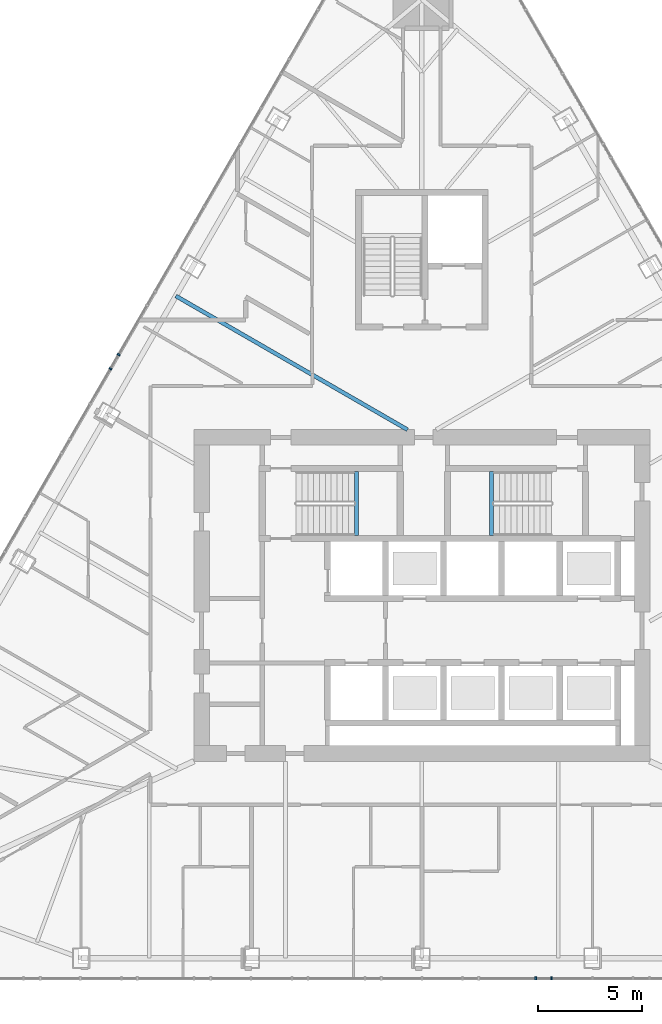
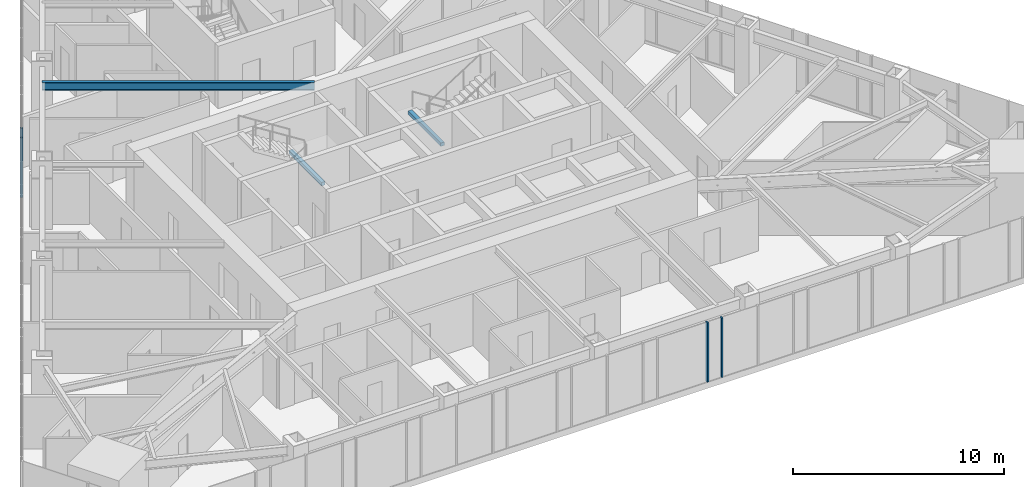
# One storey, part 6 of 24: 4 members, 3 beams, 2 elements without a shape of their own.
"""IFC4 building model written with IfcOpenShell, lengths in metres."""

import ifcopenshell
import ifcopenshell.guid

model = None  # the IFC model being written
_history = None  # IfcOwnerHistory: only IFC2X3 demands one
_inside = {}  # id of a spatial element -> (the spatial element, [elements in it])
_under = {}  # id of a project, library or spatial element -> (it, [spatial elements below it])
_declared = {}  # id of a project -> (the project, [libraries it declares])
_typed = {}  # id of a type object -> (the type object, [elements of that type])
_made_of = {}  # id of a material, layer set ... -> (it, [elements and type objects made of it])


def new_model(schema):
    """Start an empty IFC model of exactly this schema.

    Asked for "IFC4X3", IfcOpenShell would pick the latest addendum, in which some entities
    have other attributes; the version numbers below select the first issue.
    IFC2X3 requires an IfcOwnerHistory on every rooted entity: one is made here for all.
    """
    global model, _history
    if schema == "IFC4X3":
        model = ifcopenshell.file(schema_version=(4, 3, 0, 0))
    else:
        model = ifcopenshell.file(schema=schema)
    _inside.clear()
    _under.clear()
    _declared.clear()
    _typed.clear()
    _made_of.clear()
    _history = None
    if model.schema == "IFC2X3":
        org = make("IfcOrganization", Name="unknown")
        user = make(
            "IfcPersonAndOrganization",
            ThePerson=make("IfcPerson", FamilyName="unknown"),
            TheOrganization=org,
        )
        app = make(
            "IfcApplication",
            ApplicationDeveloper=org,
            Version="unknown",
            ApplicationFullName="unknown",
            ApplicationIdentifier="unknown",
        )
        _history = make(
            "IfcOwnerHistory",
            OwningUser=user,
            OwningApplication=app,
            ChangeAction="ADDED",
            CreationDate=0,
        )
    return model


def make(cls, **values):
    """One entity of the class cls with the attributes given. An attribute that is None is left unset."""
    return model.create_entity(
        cls, **{name: value for name, value in values.items() if value is not None}
    )


def rooted(cls, **values):
    """An entity with a GlobalId (a new one), such as an element, a storey or a relation."""
    return make(cls, GlobalId=ifcopenshell.guid.new(), OwnerHistory=_history, **values)


def si_unit(unit_type, name, prefix=None):
    """IfcSIUnit, for example si_unit("LENGTHUNIT", "METRE", prefix="MILLI")."""
    return make("IfcSIUnit", UnitType=unit_type, Prefix=prefix, Name=name)


def assignment(units):
    """IfcUnitAssignment: the units of a project."""
    return None if units is None else make("IfcUnitAssignment", Units=units)


def point(xyz):
    """IfcCartesianPoint."""
    return None if xyz is None else make("IfcCartesianPoint", Coordinates=xyz)


def direction(xyz):
    """IfcDirection."""
    return None if xyz is None else make("IfcDirection", DirectionRatios=xyz)


def frame(location, z_axis=None, x_axis=None):
    """IfcAxis2Placement3D, a coordinate frame: its origin and axes. An axis left out is left unset."""
    return make(
        "IfcAxis2Placement3D",
        Location=point(location),
        Axis=direction(z_axis),
        RefDirection=direction(x_axis),
    )


def frame_2d(location, x_axis=None):
    """IfcAxis2Placement2D, a coordinate frame in the plane: its origin and x axis."""
    return make(
        "IfcAxis2Placement2D", Location=point(location), RefDirection=direction(x_axis)
    )


def origin():
    """The frame at (0, 0, 0) with its axes left unset."""
    return frame((0.0, 0.0, 0.0))


def origin_2d():
    """The frame at (0, 0) in the plane with its x axis left unset."""
    return frame_2d((0.0, 0.0))


def place(relative_to, where):
    """IfcLocalPlacement: puts the frame where relative to a parent placement (None: the world)."""
    return make(
        "IfcLocalPlacement", PlacementRelTo=relative_to, RelativePlacement=where
    )


def context(
    kind, dimensions, precision=None, world=None, true_north=None, identifier=None
):
    """IfcGeometricRepresentationContext, for example the 3D "Model" context."""
    return make(
        "IfcGeometricRepresentationContext",
        ContextIdentifier=identifier,
        ContextType=kind,
        CoordinateSpaceDimension=dimensions,
        Precision=precision,
        WorldCoordinateSystem=world,
        TrueNorth=true_north,
    )


def subcontext(parent, identifier, kind, view, scale=None):
    """IfcGeometricRepresentationSubContext, for example "Body" below "Model"."""
    return make(
        "IfcGeometricRepresentationSubContext",
        ContextIdentifier=identifier,
        ContextType=kind,
        ParentContext=parent,
        TargetScale=scale,
        TargetView=view,
    )


def project(units=None, contexts=None):
    """IfcProject with its units and contexts."""
    return rooted(
        "IfcProject",
        Name="project",
        RepresentationContexts=contexts,
        UnitsInContext=assignment(units),
    )


def spatial(cls, under=None, at=None, **own):
    """A site, building, storey or space (cls), placed at a placement, below another one or the project."""
    s = rooted(cls, ObjectPlacement=at, **own)
    if under is not None:
        _under.setdefault(under.id(), (under, []))[1].append(s)
    return s


def profile(cls, at=None, kind="AREA", **sizes):
    """A parametric profile (cls). Its sizes go by their IFC names, for example OverallWidth=200.0."""
    return make(cls, ProfileType=kind, Position=at, **sizes)


def rectangle(**sizes):
    """IfcRectangleProfileDef."""
    return profile("IfcRectangleProfileDef", **sizes)


def i_section(**sizes):
    """IfcIShapeProfileDef."""
    return profile("IfcIShapeProfileDef", **sizes)


def extrude(swept, where, along, depth):
    """IfcExtrudedAreaSolid: the profile swept, set in the frame where, extruded along a direction by depth."""
    return make(
        "IfcExtrudedAreaSolid",
        SweptArea=swept,
        Position=where,
        ExtrudedDirection=direction(along),
        Depth=depth,
    )


def shape(context_of_items, identifier, shape_type, items):
    """IfcShapeRepresentation: the items that make up one representation, for example the "Body"."""
    return make(
        "IfcShapeRepresentation",
        ContextOfItems=context_of_items,
        RepresentationIdentifier=identifier,
        RepresentationType=shape_type,
        Items=items,
    )


def material(Name=None, Category=None):
    """IfcMaterial."""
    return make("IfcMaterial", Name=Name, Category=Category)


def layer(
    of_material, thickness, ventilated=None, Name=None, Category=None, Priority=None
):
    """IfcMaterialLayer: one layer of a wall or slab, of a material (None: an air gap)."""
    return make(
        "IfcMaterialLayer",
        Material=of_material,
        LayerThickness=thickness,
        IsVentilated=ventilated,
        Name=Name,
        Category=Category,
        Priority=Priority,
    )


def layer_set(layers, Name=None):
    """IfcMaterialLayerSet."""
    return make("IfcMaterialLayerSet", MaterialLayers=layers, LayerSetName=Name)


def material_profile(
    of_material, cross_section, Name=None, Category=None, Priority=None
):
    """IfcMaterialProfile: a cross section and its material."""
    return make(
        "IfcMaterialProfile",
        Name=Name,
        Material=of_material,
        Profile=cross_section,
        Priority=Priority,
        Category=Category,
    )


def profile_set(profiles, Name=None, composite=None):
    """IfcMaterialProfileSet."""
    return make(
        "IfcMaterialProfileSet",
        Name=Name,
        MaterialProfiles=profiles,
        CompositeProfile=composite,
    )


def made_of(thing, what):
    """Note that an element or type object is made of a material, layer set ...; save() writes the relation."""
    if what is not None:
        _made_of.setdefault(what.id(), (what, []))[1].append(thing)
    return thing


def type_object(cls, material=None, **own):
    """A type object (cls), such as IfcWallType, which elements share."""
    return made_of(rooted(cls, **own), material)


def element(
    cls,
    number,
    at=None,
    inside=None,
    cuts=None,
    type_object=None,
    material=None,
    context=None,
    identifier="Body",
    shape_type=None,
    held_by="IfcProductDefinitionShape",
    body=None,
    shapes=None,
    **own,
):
    """One element of the class cls, such as IfcWall. Its Tag is "e" and its number.

    at: its placement. inside: the storey or other place that contains it. cuts: it is an
    opening in that element (IfcRelVoidsElement). A single representation is given by context,
    identifier, shape_type and body (its items); several are given by shapes. held_by: the class
    of the entity that holds the representations. save() writes the other relations.
    """
    e = rooted(cls, Tag="e%d" % number, ObjectPlacement=at, **own)
    if body is not None:
        shapes = [shape(context, identifier, shape_type, body)]
    if shapes is not None:
        e.Representation = make(held_by, Representations=shapes)
    if inside is not None:
        _inside.setdefault(inside.id(), (inside, []))[1].append(e)
    if cuts is not None:
        rooted(
            "IfcRelVoidsElement", RelatingBuildingElement=cuts, RelatedOpeningElement=e
        )
    if type_object is not None:
        _typed.setdefault(type_object.id(), (type_object, []))[1].append(e)
    return made_of(e, material)


def aggregate(whole, parts):
    """IfcRelAggregates: a whole, such as a stair, and the parts it consists of."""
    return rooted("IfcRelAggregates", RelatingObject=whole, RelatedObjects=parts)


def save(model, path):
    """Write the relations noted so far, then the file.

    IfcRelAggregates (storeys below a building ...), IfcRelContainedInSpatialStructure (elements
    in a storey), IfcRelDefinesByType, IfcRelAssociatesMaterial and IfcRelDeclares: one each for
    every whole, place, type object, material and project.
    """
    for whole, parts in _under.values():
        aggregate(whole, parts)
    for where, things in _inside.values():
        rooted(
            "IfcRelContainedInSpatialStructure",
            RelatedElements=things,
            RelatingStructure=where,
        )
    for kind, things in _typed.values():
        rooted("IfcRelDefinesByType", RelatedObjects=things, RelatingType=kind)
    for what, things in _made_of.values():
        rooted("IfcRelAssociatesMaterial", RelatedObjects=things, RelatingMaterial=what)
    for by, libraries in _declared.values():
        rooted("IfcRelDeclares", RelatingContext=by, RelatedDefinitions=libraries)
    model.write(path)


model = new_model("IFC4")

# Units and contexts
model_context = context("Model", 3, precision=1e-05, world=origin(), true_north=direction((0.0, 1.0)))
body_context = subcontext(model_context, "Body", "Model", "MODEL_VIEW")
ifc_project = project(units=[si_unit("LENGTHUNIT", "METRE"), si_unit("AREAUNIT", "SQUARE_METRE"), si_unit("VOLUMEUNIT", "CUBIC_METRE"), si_unit("PLANEANGLEUNIT", "RADIAN"), si_unit("MASSUNIT", "GRAM", prefix="KILO")], contexts=[model_context])

# Site, building, storey
site_placement = place(None, origin())
site = spatial("IfcSite", under=ifc_project, at=site_placement, CompositionType="ELEMENT")
building_placement = place(site_placement, origin())
building = spatial("IfcBuilding", under=site, at=building_placement, Name="Firuza Gate Tower and Library", CompositionType="ELEMENT")
storey_placement = place(building_placement, frame((0.0, 0.0, 237.699951171875)))
storey = spatial("IfcBuildingStorey", under=building, at=storey_placement, Name="L56", CompositionType="ELEMENT", Elevation=237.699951171875)

# Curtain wall, members
ifc_material_1 = material(Name="Aluminium 6063-T6", Category="aluminium")
ifc_layer = layer(ifc_material_1, 0.14990234375)
ifc_layer_set = layer_set([ifc_layer], Name="Unitised curtain wall, hotel")
curtain_wall_type = type_object("IfcCurtainWallType", Name="Unitised curtain wall, hotel", PredefinedType="NOTDEFINED", material=ifc_layer_set)
placement = place(storey_placement, origin())
curtain_wall_1 = element("IfcCurtainWall", 1, at=placement, inside=storey, type_object=curtain_wall_type, Name="CW2 L56 S face", PredefinedType="NOTDEFINED")
ifc_material_2 = material(Name="Aluminium 6063-T6", Category="aluminium")
ifc_material_profile_1 = material_profile(ifc_material_2, rectangle(XDim=0.14990234375, YDim=0.080078125, at=origin_2d()))
ifc_profile_set_1 = profile_set([ifc_material_profile_1], Name="Aluminium 6063-T6")
member_type = type_object("IfcMemberType", Name="Curtain wall mullion 80x150", PredefinedType="MULLION", material=ifc_profile_set_1)
member_1_placement = place(storey_placement, frame((80.493408203125, 56.52099609375, 0.150146484375), z_axis=(0.0, 0.0, 1.0), x_axis=(0.0, 1.0, 0.0)))
member_1 = element("IfcMember", 2, at=member_1_placement, type_object=member_type, Name="Mullion", PredefinedType="MULLION", context=body_context, shape_type="SweptSolid", body=[
    extrude(rectangle(XDim=0.14990234375, YDim=0.080078125, at=origin_2d()), origin(), (0.0, 0.0, 1.0), 3.449951171875),
])
member_2_placement = place(storey_placement, frame((81.263916015625, 56.52099609375, 0.150146484375), z_axis=(0.0, 0.0, 1.0), x_axis=(0.0, 1.0, 0.0)))
member_2 = element("IfcMember", 3, at=member_2_placement, type_object=member_type, Name="Mullion", PredefinedType="MULLION", context=body_context, shape_type="SweptSolid", body=[
    extrude(rectangle(XDim=0.14990234375, YDim=0.080078125, at=origin_2d()), origin(), (0.0, 0.0, 1.0), 3.449951171875),
])
aggregate(curtain_wall_1, [member_1, member_2])

curtain_wall_2 = element("IfcCurtainWall", 4, at=placement, inside=storey, type_object=curtain_wall_type, Name="CW2 L56 W face", PredefinedType="NOTDEFINED")
member_3_placement = place(storey_placement, frame((60.3701171875, 86.6181640625, 0.150146484375), z_axis=(0.0, 0.0, 1.0), x_axis=(0.866025403784, -0.5, 0.0)))
member_3 = element("IfcMember", 5, at=member_3_placement, type_object=member_type, Name="Mullion", PredefinedType="MULLION", context=body_context, shape_type="SweptSolid", body=[
    extrude(rectangle(XDim=0.14990234375, YDim=0.080078125, at=origin_2d()), origin(), (0.0, 0.0, 1.0), 3.449951171875),
])
member_4_placement = place(storey_placement, frame((59.9775390625, 85.938232421875, 0.150146484375), z_axis=(0.0, 0.0, 1.0), x_axis=(0.866025403784, -0.5, 0.0)))
member_4 = element("IfcMember", 6, at=member_4_placement, type_object=member_type, Name="Mullion", PredefinedType="MULLION", context=body_context, shape_type="SweptSolid", body=[
    extrude(rectangle(XDim=0.14990234375, YDim=0.080078125, at=origin_2d()), origin(), (0.0, 0.0, 1.0), 3.449951171875),
])
aggregate(curtain_wall_2, [member_3, member_4])

# Beams
ifc_material_3 = material(Name="Concrete C35/45", Category="concrete")
ifc_material_profile_2 = material_profile(ifc_material_3, rectangle(XDim=0.199951171875, YDim=0.199951171875, at=origin_2d()))
ifc_profile_set_2 = profile_set([ifc_material_profile_2], Name="Concrete C35/45")
beam_type_1 = type_object("IfcBeamType", Name="Stair landing bearer 200x200", PredefinedType="BEAM", material=ifc_profile_set_2)
for number, where, z_axis, x_axis, name in (
    (7, (71.840087890625, 77.89990234375, 1.650146484375), (0.0, 1.0, 0.0), (-1.0, 0.0, 0.0), "Landing bearer L56 stair 1"),
    (8, (78.360107421875, 80.97998046875, 1.650146484375), (0.0, -1.0, 0.0), (1.0, 0.0, 0.0), "Landing bearer L56 stair 2"),
):
    element("IfcBeam", number, at=place(storey_placement, frame(where, z_axis=z_axis, x_axis=x_axis)), inside=storey, type_object=beam_type_1, Name=name, PredefinedType="BEAM", context=body_context, shape_type="SweptSolid", body=[
        extrude(rectangle(XDim=0.199951171875, YDim=0.199951171875, at=origin_2d()), origin(), (0.0, 0.0, 1.0), 3.080078125),
    ])
ifc_material_4 = material(Name="Steel S355", Category="steel")
ifc_material_profile_3 = material_profile(ifc_material_4, i_section(OverallWidth=0.18994140625, OverallDepth=0.45703125, WebThickness=0.009033203125, FlangeThickness=0.014404296875, at=origin_2d()))
ifc_profile_set_3 = profile_set([ifc_material_profile_3], Name="Steel S355")
beam_type_2 = type_object("IfcBeamType", Name="W460x74 Floor beam", PredefinedType="JOIST", material=ifc_profile_set_3)
beam_placement = place(storey_placement, frame((63.13134765625, 89.450927734375, 3.37158203125), z_axis=(0.866020774712, -0.500008017704, 0.0), x_axis=(0.500008017704, 0.866020774712, 0.0)))
element("IfcBeam", 9, at=beam_placement, inside=storey, type_object=beam_type_2, Name="Floor beam L56 s81", PredefinedType="JOIST", context=body_context, shape_type="SweptSolid", body=[
    extrude(i_section(OverallWidth=0.18994140625, OverallDepth=0.45703125, WebThickness=0.009033203125, FlangeThickness=0.014404296875, at=origin_2d()), origin(), (0.0, 0.0, 1.0), 12.901611328125),
])

save(model, "model.ifc")
